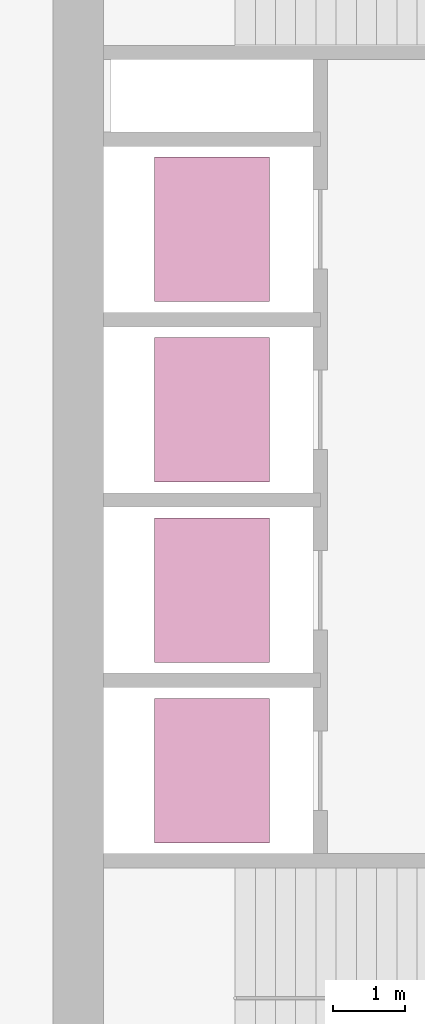
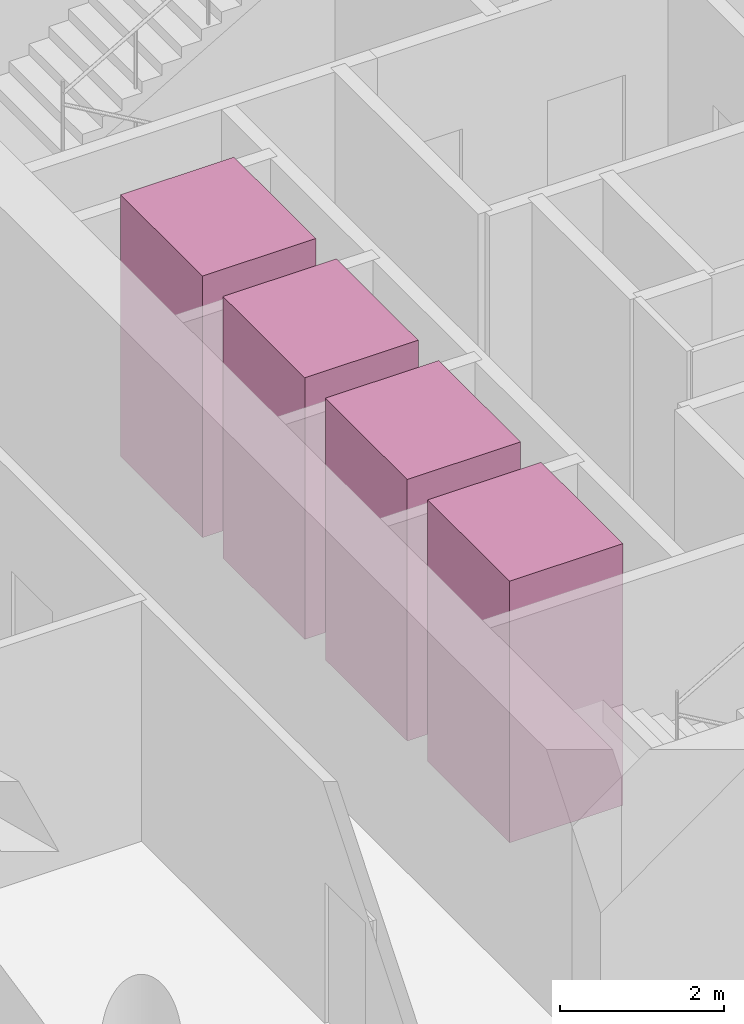
# One storey, part 9 of 9: 4 transport elements.
"""IFC4 building model written with IfcOpenShell, lengths in metres."""

from ifc_helpers import new_model, si_unit, direction, frame, origin, origin_2d, place, context, subcontext, project, spatial, rectangle, extrude, material, type_object, element, save


model = new_model("IFC4")

# Units and contexts
model_context = context("Model", 3, precision=1e-05, world=origin(), true_north=direction((0.0, 1.0)))
body_context = subcontext(model_context, "Body", "Model", "MODEL_VIEW")
ifc_project = project(units=[si_unit("LENGTHUNIT", "METRE"), si_unit("AREAUNIT", "SQUARE_METRE"), si_unit("VOLUMEUNIT", "CUBIC_METRE"), si_unit("PLANEANGLEUNIT", "RADIAN"), si_unit("MASSUNIT", "GRAM", prefix="KILO")], contexts=[model_context])

# Site, building, storey
site_placement = place(None, origin())
site = spatial("IfcSite", under=ifc_project, at=site_placement, CompositionType="ELEMENT")
building_placement = place(site_placement, origin())
building = spatial("IfcBuilding", under=site, at=building_placement, Name="Qaws Garden Tower", CompositionType="ELEMENT")
storey_placement = place(building_placement, frame((0.0, 0.0, 135.60009765625)))
storey = spatial("IfcBuildingStorey", under=building, at=storey_placement, Name="L32", CompositionType="ELEMENT", Elevation=135.60009765625)

# Transport elements
ifc_material = material(Name="Stainless steel 316", Category="steel")
transport_element_type = type_object("IfcTransportElementType", Name="Passenger lift car 2000x1600 1800 kg", PredefinedType="ELEVATOR", material=ifc_material)
for number, where, z_axis, x_axis, name in (
    (1, (10.199951171875, 13.64990234375, 0.0), (0.0, 0.0, 1.0), (1.0, 0.0, 0.0), "MR1"),
    (2, (10.199951171875, 16.14990234375, 0.0), (0.0, 0.0, 1.0), (1.0, 0.0, 0.0), "MR2"),
    (3, (10.199951171875, 18.64990234375, 0.0), (0.0, 0.0, 1.0), (1.0, 0.0, 0.0), "MR3"),
    (4, (10.199951171875, 21.14990234375, 0.0), (0.0, 0.0, 1.0), (1.0, 0.0, 0.0), "MR4"),
):
    element("IfcTransportElement", number, at=place(storey_placement, frame(where, z_axis=z_axis, x_axis=x_axis)), inside=storey, type_object=transport_element_type, Name=name, PredefinedType="ELEVATOR", context=body_context, shape_type="SweptSolid", body=[
        extrude(rectangle(XDim=1.60009765625, YDim=2.0, at=origin_2d()), origin(), (0.0, 0.0, 1.0), 3.89990234375),
    ])

save(model, "model.ifc")
